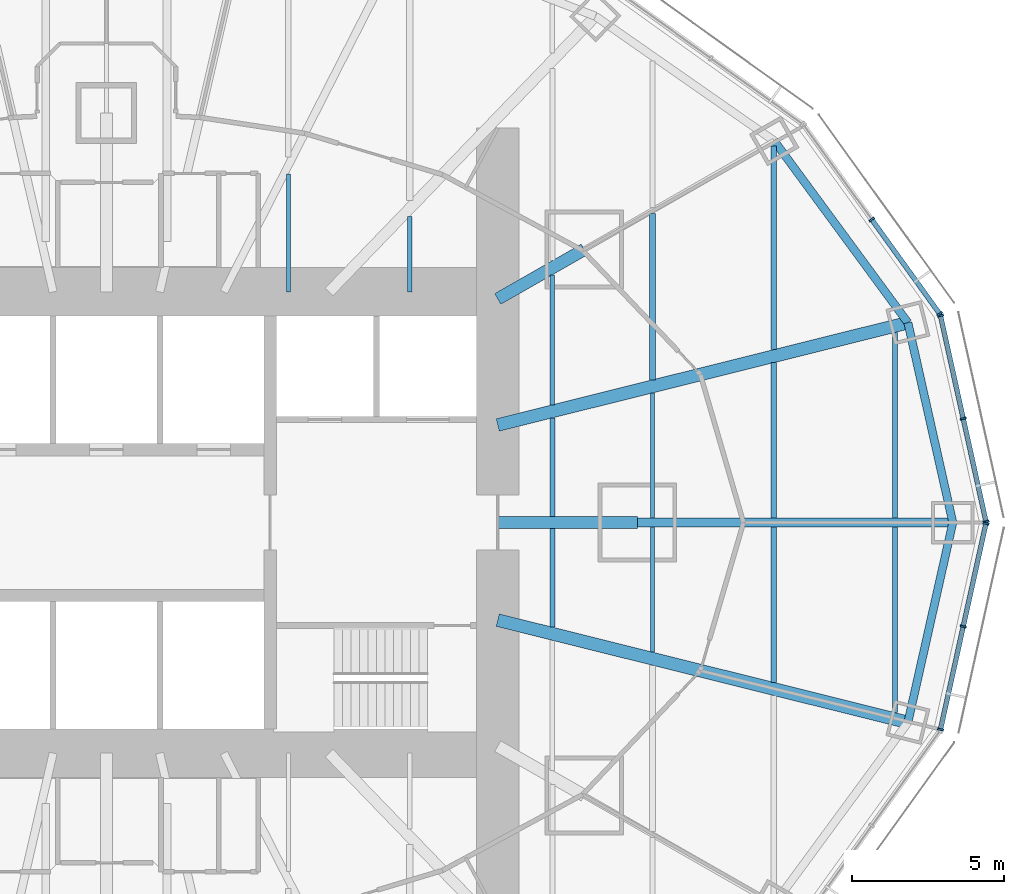
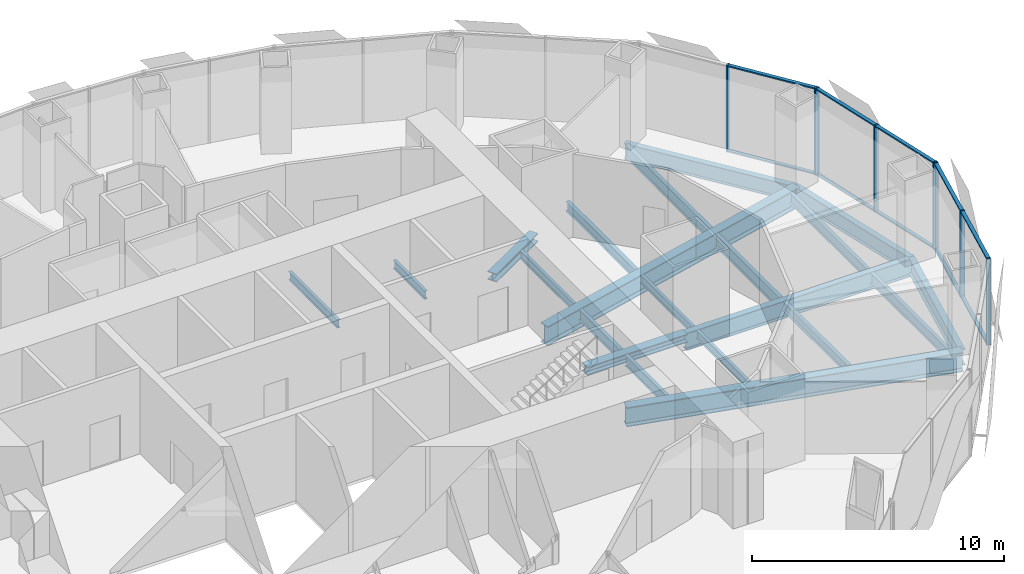
# One storey, part 6 of 18: 21 beams, 18 members, 3 elements without a shape of their own.
"""IFC4 building model written with IfcOpenShell, lengths in metres."""

from ifc_helpers import new_model, si_unit, direction, frame, origin, origin_2d, place, context, subcontext, project, spatial, rectangle, i_section, extrude, material, material_profile, profile_set, type_object, element, aggregate, save


model = new_model("IFC4")

# Units and contexts
model_context = context("Model", 3, precision=1e-05, world=origin(), true_north=direction((0.0, 1.0)))
body_context = subcontext(model_context, "Body", "Model", "MODEL_VIEW")
ifc_project = project(units=[si_unit("LENGTHUNIT", "METRE"), si_unit("AREAUNIT", "SQUARE_METRE"), si_unit("VOLUMEUNIT", "CUBIC_METRE"), si_unit("PLANEANGLEUNIT", "RADIAN"), si_unit("MASSUNIT", "GRAM", prefix="KILO")], contexts=[model_context])

# Site, building, storey
site_placement = place(None, origin())
site = spatial("IfcSite", under=ifc_project, at=site_placement, CompositionType="ELEMENT")
building_placement = place(site_placement, origin())
building = spatial("IfcBuilding", under=site, at=building_placement, Name="Lantaw Convention Tower", CompositionType="ELEMENT")
storey_placement = place(building_placement, frame((0.0, 0.0, 142.60009765625)))
storey = spatial("IfcBuildingStorey", under=building, at=storey_placement, Name="L33", CompositionType="ELEMENT", Elevation=142.60009765625)

# Beams
ifc_material_1 = material(Name="Steel ASTM A992", Category="steel")
ifc_material_profile_1 = material_profile(ifc_material_1, i_section(OverallWidth=0.2666015625, OverallDepth=0.76953125, WebThickness=0.015625, FlangeThickness=0.025390625, FilletRadius=0.0126953125, at=origin_2d()), Name="W30X132")
ifc_profile_set_1 = profile_set([ifc_material_profile_1], Name="Steel ASTM A992")
beam_type_1 = type_object("IfcBeamType", Name="Beam E W30X132", PredefinedType="SPANDREL", material=ifc_profile_set_1)
beam_1_placement = place(storey_placement, frame((27.89990234375, 0.0, -0.534912109375), z_axis=(-0.219211877447, 0.975677279015, 0.0), x_axis=(-0.975677279015, -0.219211877447, 0.0)))
element("IfcBeam", 1, at=beam_1_placement, inside=storey, type_object=beam_type_1, Name="Edge beam 1", PredefinedType="SPANDREL", context=body_context, shape_type="SweptSolid", body=[
    extrude(i_section(OverallWidth=0.2666015625, OverallDepth=0.76953125, WebThickness=0.015625, FlangeThickness=0.025390625, FilletRadius=0.0126953125, at=origin_2d()), origin(), (0.0, 0.0, 1.0), 6.75146484375),
])
beam_2_placement = place(storey_placement, frame((26.419921875, 6.587158203125, -0.534912109375), z_axis=(-0.5923891972, 0.805651934176, 0.0), x_axis=(-0.805651934176, -0.5923891972, 0.0)))
element("IfcBeam", 2, at=beam_2_placement, inside=storey, type_object=beam_type_1, Name="Edge beam 2", PredefinedType="SPANDREL", context=body_context, shape_type="SweptSolid", body=[
    extrude(i_section(OverallWidth=0.2666015625, OverallDepth=0.76953125, WebThickness=0.015625, FlangeThickness=0.025390625, FilletRadius=0.0126953125, at=origin_2d()), origin(), (0.0, 0.0, 1.0), 7.437744140625),
])
beam_3_placement = place(storey_placement, frame((26.419921875, -6.587158203125, -0.534912109375), z_axis=(0.219211877447, 0.975677279015, 0.0), x_axis=(-0.975677279015, 0.219211877447, 0.0)))
element("IfcBeam", 3, at=beam_3_placement, inside=storey, type_object=beam_type_1, Name="Edge beam 24", PredefinedType="SPANDREL", context=body_context, shape_type="SweptSolid", body=[
    extrude(i_section(OverallWidth=0.2666015625, OverallDepth=0.76953125, WebThickness=0.015625, FlangeThickness=0.025390625, FilletRadius=0.0126953125, at=origin_2d()), origin(), (0.0, 0.0, 1.0), 6.75146484375),
])
ifc_material_profile_2 = material_profile(ifc_material_1, i_section(OverallWidth=0.2919921875, OverallDepth=0.845703125, WebThickness=0.015380859375, FlangeThickness=0.0244140625, FilletRadius=0.01513671875, at=origin_2d()), Name="W33X141")
ifc_profile_set_2 = profile_set([ifc_material_profile_2], Name="Steel ASTM A992")
beam_type_2 = type_object("IfcBeamType", Name="Beam G W33X141", PredefinedType="BEAM", material=ifc_profile_set_2)
beam_4_placement = place(storey_placement, frame((17.5, 0.0, -0.572998046875), z_axis=(1.0, 0.0, 0.0), x_axis=(0.0, 1.0, 0.0)))
element("IfcBeam", 4, at=beam_4_placement, inside=storey, type_object=beam_type_2, Name="Floor girder on ray 1", PredefinedType="BEAM", context=body_context, shape_type="SweptSolid", body=[
    extrude(i_section(OverallWidth=0.2919921875, OverallDepth=0.845703125, WebThickness=0.015380859375, FlangeThickness=0.0244140625, FilletRadius=0.01513671875, at=origin_2d()), origin(), (0.0, 0.0, 1.0), 10.39990234375),
])
ifc_material_profile_3 = material_profile(ifc_material_1, i_section(OverallWidth=0.421630859375, OverallDepth=0.937255859375, WebThickness=0.0224609375, FlangeThickness=0.039794921875, FilletRadius=0.02001953125, at=origin_2d()), Name="W36X282")
ifc_profile_set_3 = profile_set([ifc_material_profile_3], Name="Steel ASTM A992")
beam_type_3 = type_object("IfcBeamType", Name="Beam G W36X282", PredefinedType="BEAM", material=ifc_profile_set_3)
for number, where, z_axis, x_axis, name in (
    (5, (12.89990234375, 3.21630859375, -0.61865234375), (0.970296903132, 0.24191717544, 0.0), (-0.24191717544, 0.970296903132, 0.0), "Floor girder on ray 2"),
    (6, (12.89990234375, -3.21630859375, -0.61865234375), (0.970296903132, -0.24191717544, 0.0), (0.24191717544, 0.970296903132, 0.0), "Floor girder on ray 24"),
):
    element("IfcBeam", number, at=place(storey_placement, frame(where, z_axis=z_axis, x_axis=x_axis)), inside=storey, type_object=beam_type_3, Name=name, PredefinedType="BEAM", context=body_context, shape_type="SweptSolid", body=[
        extrude(i_section(OverallWidth=0.421630859375, OverallDepth=0.937255859375, WebThickness=0.0224609375, FlangeThickness=0.039794921875, FilletRadius=0.02001953125, at=origin_2d()), origin(), (0.0, 0.0, 1.0), 13.933837890625),
    ])
ifc_material_profile_4 = material_profile(ifc_material_1, i_section(OverallWidth=0.40380859375, OverallDepth=0.406494140625, WebThickness=0.027099609375, FlangeThickness=0.043701171875, FilletRadius=0.01513671875, at=origin_2d()), Name="W14X233")
ifc_profile_set_4 = profile_set([ifc_material_profile_4], Name="Steel ASTM A992")
beam_type_4 = type_object("IfcBeamType", Name="Beam GM W14X233", PredefinedType="BEAM", material=ifc_profile_set_4)
beam_5_placement = place(storey_placement, frame((12.89990234375, 0.0, -0.353271484375), z_axis=(1.0, 0.0, 0.0), x_axis=(0.0, 1.0, 0.0)))
element("IfcBeam", 7, at=beam_5_placement, inside=storey, type_object=beam_type_4, Name="Core link beam on ray 1", PredefinedType="BEAM", context=body_context, shape_type="SweptSolid", body=[
    extrude(i_section(OverallWidth=0.40380859375, OverallDepth=0.406494140625, WebThickness=0.027099609375, FlangeThickness=0.043701171875, FilletRadius=0.01513671875, at=origin_2d()), origin(), (0.0, 0.0, 1.0), 4.60009765625),
])
beam_6_placement = place(storey_placement, frame((12.89990234375, 7.371337890625, -0.353271484375), z_axis=(0.868238565244, 0.496146947811, 0.0), x_axis=(-0.496146947811, 0.868238565244, 0.0)))
element("IfcBeam", 8, at=beam_6_placement, inside=storey, type_object=beam_type_4, Name="Core link beam on ray 3", PredefinedType="BEAM", context=body_context, shape_type="SweptSolid", body=[
    extrude(i_section(OverallWidth=0.40380859375, OverallDepth=0.406494140625, WebThickness=0.027099609375, FlangeThickness=0.043701171875, FilletRadius=0.01513671875, at=origin_2d()), origin(), (0.0, 0.0, 1.0), 3.28271484375),
])
ifc_material_profile_5 = material_profile(ifc_material_1, i_section(OverallWidth=0.140380859375, OverallDepth=0.40380859375, WebThickness=0.007080078125, FlangeThickness=0.01123046875, FilletRadius=0.01025390625, at=origin_2d()), Name="W16X31")
ifc_profile_set_5 = profile_set([ifc_material_profile_5], Name="Steel ASTM A992")
beam_type_5 = type_object("IfcBeamType", Name="Beam J W16X31", PredefinedType="JOIST", material=ifc_profile_set_5)
beam_7_placement = place(storey_placement, frame((6.0, 7.60009765625, -0.35205078125), z_axis=(0.0, 1.0, 0.0), x_axis=(-1.0, 0.0, 0.0)))
element("IfcBeam", 9, at=beam_7_placement, inside=storey, type_object=beam_type_5, Name="Floor joist", PredefinedType="JOIST", context=body_context, shape_type="SweptSolid", body=[
    extrude(i_section(OverallWidth=0.140380859375, OverallDepth=0.40380859375, WebThickness=0.007080078125, FlangeThickness=0.01123046875, FilletRadius=0.01025390625, at=origin_2d()), origin(), (0.0, 0.0, 1.0), 3.895751953125),
])
beam_8_placement = place(storey_placement, frame((10.0, 7.60009765625, -0.35205078125), z_axis=(0.0, 1.0, 0.0), x_axis=(-1.0, 0.0, 0.0)))
element("IfcBeam", 10, at=beam_8_placement, inside=storey, type_object=beam_type_5, Name="Floor joist", PredefinedType="JOIST", context=body_context, shape_type="SweptSolid", body=[
    extrude(i_section(OverallWidth=0.140380859375, OverallDepth=0.40380859375, WebThickness=0.007080078125, FlangeThickness=0.01123046875, FilletRadius=0.01025390625, at=origin_2d()), origin(), (0.0, 0.0, 1.0), 2.49560546875),
])
beam_9_placement = place(storey_placement, frame((14.699951171875, 3.88232421875, -0.35205078125), z_axis=(0.0, 1.0, 0.0), x_axis=(-1.0, 0.0, 0.0)))
element("IfcBeam", 11, at=beam_9_placement, inside=storey, type_object=beam_type_5, Name="Floor joist", PredefinedType="JOIST", context=body_context, shape_type="SweptSolid", body=[
    extrude(i_section(OverallWidth=0.140380859375, OverallDepth=0.40380859375, WebThickness=0.007080078125, FlangeThickness=0.01123046875, FilletRadius=0.01025390625, at=origin_2d()), origin(), (0.0, 0.0, 1.0), 4.28515625),
])
for number, where, z_axis, x_axis, name in (
    (12, (18.0, -4.270751953125, -0.35205078125), (0.0, 1.0, 0.0), (-1.0, 0.0, 0.0), "Floor joist"),
    (13, (18.0, 0.14599609375, -0.35205078125), (0.0, 1.0, 0.0), (-1.0, 0.0, 0.0), "Floor joist"),
):
    element("IfcBeam", number, at=place(storey_placement, frame(where, z_axis=z_axis, x_axis=x_axis)), inside=storey, type_object=beam_type_5, Name=name, PredefinedType="JOIST", context=body_context, shape_type="SweptSolid", body=[
        extrude(i_section(OverallWidth=0.140380859375, OverallDepth=0.40380859375, WebThickness=0.007080078125, FlangeThickness=0.01123046875, FilletRadius=0.01025390625, at=origin_2d()), origin(), (0.0, 0.0, 1.0), 4.124755859375),
    ])
ifc_material_profile_6 = material_profile(ifc_material_1, i_section(OverallWidth=0.1904296875, OverallDepth=0.457275390625, WebThickness=0.009033203125, FlangeThickness=0.014404296875, FilletRadius=0.01025390625, at=origin_2d()), Name="W18X50")
ifc_profile_set_6 = profile_set([ifc_material_profile_6], Name="Steel ASTM A992")
beam_type_6 = type_object("IfcBeamType", Name="Beam J W18X50", PredefinedType="JOIST", material=ifc_profile_set_6)
beam_10_placement = place(storey_placement, frame((18.0, 4.705078125, -0.378662109375), z_axis=(0.0, 1.0, 0.0), x_axis=(-1.0, 0.0, 0.0)))
element("IfcBeam", 14, at=beam_10_placement, inside=storey, type_object=beam_type_6, Name="Floor joist", PredefinedType="JOIST", context=body_context, shape_type="SweptSolid", body=[
    extrude(i_section(OverallWidth=0.1904296875, OverallDepth=0.457275390625, WebThickness=0.009033203125, FlangeThickness=0.014404296875, FilletRadius=0.01025390625, at=origin_2d()), origin(), (0.0, 0.0, 1.0), 5.47802734375),
])
beam_11_placement = place(storey_placement, frame((22.0, -5.267822265625, -0.378662109375), z_axis=(0.0, 1.0, 0.0), x_axis=(-1.0, 0.0, 0.0)))
element("IfcBeam", 15, at=beam_11_placement, inside=storey, type_object=beam_type_6, Name="Floor joist", PredefinedType="JOIST", context=body_context, shape_type="SweptSolid", body=[
    extrude(i_section(OverallWidth=0.1904296875, OverallDepth=0.457275390625, WebThickness=0.009033203125, FlangeThickness=0.014404296875, FilletRadius=0.01025390625, at=origin_2d()), origin(), (0.0, 0.0, 1.0), 5.121826171875),
])
ifc_material_profile_7 = material_profile(ifc_material_1, i_section(OverallWidth=0.1650390625, OverallDepth=0.52587890625, WebThickness=0.0087890625, FlangeThickness=0.011474609375, FilletRadius=0.0126953125, at=origin_2d()), Name="W21X44")
ifc_profile_set_7 = profile_set([ifc_material_profile_7], Name="Steel ASTM A992")
beam_type_7 = type_object("IfcBeamType", Name="Beam J W21X44", PredefinedType="JOIST", material=ifc_profile_set_7)
for number, where, z_axis, x_axis, name in (
    (16, (26.0, -6.26513671875, -0.4130859375), (0.0, 1.0, 0.0), (-1.0, 0.0, 0.0), "Floor joist"),
    (17, (26.0, 0.14599609375, -0.4130859375), (0.0, 1.0, 0.0), (-1.0, 0.0, 0.0), "Floor joist"),
):
    element("IfcBeam", number, at=place(storey_placement, frame(where, z_axis=z_axis, x_axis=x_axis)), inside=storey, type_object=beam_type_7, Name=name, PredefinedType="JOIST", context=body_context, shape_type="SweptSolid", body=[
        extrude(i_section(OverallWidth=0.1650390625, OverallDepth=0.52587890625, WebThickness=0.0087890625, FlangeThickness=0.011474609375, FilletRadius=0.0126953125, at=origin_2d()), origin(), (0.0, 0.0, 1.0), 6.119140625),
    ])
ifc_material_profile_8 = material_profile(ifc_material_1, i_section(OverallWidth=0.165771484375, OverallDepth=0.5283203125, WebThickness=0.009765625, FlangeThickness=0.013671875, FilletRadius=0.012939453125, at=origin_2d()), Name="W21X50")
ifc_profile_set_8 = profile_set([ifc_material_profile_8], Name="Steel ASTM A992")
beam_type_8 = type_object("IfcBeamType", Name="Beam J W21X50", PredefinedType="JOIST", material=ifc_profile_set_8)
for number, where, z_axis, x_axis, name in (
    (18, (14.699951171875, -3.44775390625, -0.414306640625), (0.0, 1.0, 0.0), (-1.0, 0.0, 0.0), "Floor joist"),
    (19, (14.699951171875, 0.201904296875, -0.414306640625), (0.0, 1.0, 0.0), (-1.0, 0.0, 0.0), "Floor joist"),
):
    element("IfcBeam", number, at=place(storey_placement, frame(where, z_axis=z_axis, x_axis=x_axis)), inside=storey, type_object=beam_type_8, Name=name, PredefinedType="JOIST", context=body_context, shape_type="SweptSolid", body=[
        extrude(i_section(OverallWidth=0.165771484375, OverallDepth=0.5283203125, WebThickness=0.009765625, FlangeThickness=0.013671875, FilletRadius=0.012939453125, at=origin_2d()), origin(), (0.0, 0.0, 1.0), 3.245849609375),
    ])
ifc_material_profile_9 = material_profile(ifc_material_1, i_section(OverallWidth=0.177978515625, OverallDepth=0.599365234375, WebThickness=0.010009765625, FlangeThickness=0.012939453125, FilletRadius=0.012939453125, at=origin_2d()), Name="W24X55")
ifc_profile_set_9 = profile_set([ifc_material_profile_9], Name="Steel ASTM A992")
beam_type_9 = type_object("IfcBeamType", Name="Beam J W24X55", PredefinedType="JOIST", material=ifc_profile_set_9)
beam_12_placement = place(storey_placement, frame((22.0, 0.14599609375, -0.44970703125), z_axis=(0.0, 1.0, 0.0), x_axis=(-1.0, 0.0, 0.0)))
element("IfcBeam", 20, at=beam_12_placement, inside=storey, type_object=beam_type_9, Name="Floor joist", PredefinedType="JOIST", context=body_context, shape_type="SweptSolid", body=[
    extrude(i_section(OverallWidth=0.177978515625, OverallDepth=0.599365234375, WebThickness=0.010009765625, FlangeThickness=0.012939453125, FilletRadius=0.012939453125, at=origin_2d()), origin(), (0.0, 0.0, 1.0), 5.121826171875),
])
beam_13_placement = place(storey_placement, frame((22.0, 5.702392578125, -0.44970703125), z_axis=(0.0, 1.0, 0.0), x_axis=(-1.0, 0.0, 0.0)))
element("IfcBeam", 21, at=beam_13_placement, inside=storey, type_object=beam_type_9, Name="Floor joist", PredefinedType="JOIST", context=body_context, shape_type="SweptSolid", body=[
    extrude(i_section(OverallWidth=0.177978515625, OverallDepth=0.599365234375, WebThickness=0.010009765625, FlangeThickness=0.012939453125, FilletRadius=0.012939453125, at=origin_2d()), origin(), (0.0, 0.0, 1.0), 6.70654296875),
])

# Curtain wall, members
ifc_material_2 = material(Name="Aluminium framed curtain wall", Category="aluminium")
curtain_wall_type = type_object("IfcCurtainWallType", Name="Office curtain wall low rise, pale aluminium", PredefinedType="USERDEFINED", material=ifc_material_2)
curtain_wall_1_placement = place(storey_placement, origin())
curtain_wall_1 = element("IfcCurtainWall", 22, at=curtain_wall_1_placement, inside=storey, type_object=curtain_wall_type, Name="Office curtain wall low rise, pale aluminium L33", ObjectType="UNITISED CURTAIN WALL", PredefinedType="USERDEFINED")
ifc_material_3 = material(Name="Aluminium 6063-T6", Category="aluminium")
ifc_material_profile_10 = material_profile(ifc_material_3, rectangle(XDim=0.199951171875, YDim=0.06494140625, at=origin_2d()), Name="CW-O1 mullion 65x200")
ifc_profile_set_10 = profile_set([ifc_material_profile_10], Name="Aluminium 6063-T6")
member_type_1 = type_object("IfcMemberType", Name="CW-O1 mullion 65x200", PredefinedType="MULLION", material=ifc_profile_set_10)
member_1_placement = place(storey_placement, frame((28.992919921875, 0.03173828125, -0.150146484375), z_axis=(0.0, 0.0, 1.0), x_axis=(-0.9764936509, -0.215546166174, 0.0)))
member_1 = element("IfcMember", 23, at=member_1_placement, type_object=member_type_1, Name="CW-O1 mullion 1", PredefinedType="MULLION", context=body_context, shape_type="SweptSolid", body=[
    extrude(rectangle(XDim=0.199951171875, YDim=0.06494140625, at=origin_2d()), origin(), (0.0, 0.0, 1.0), 4.199951171875),
])
member_2_placement = place(storey_placement, frame((28.24365234375, 3.4267578125, -0.150146484375), z_axis=(0.0, 0.0, 1.0), x_axis=(-0.9764936509, -0.215546166174, 0.0)))
member_2 = element("IfcMember", 24, at=member_2_placement, type_object=member_type_1, Name="CW-O1 mullion 2", PredefinedType="MULLION", context=body_context, shape_type="SweptSolid", body=[
    extrude(rectangle(XDim=0.199951171875, YDim=0.06494140625, at=origin_2d()), origin(), (0.0, 0.0, 1.0), 4.199951171875),
])
member_3_placement = place(storey_placement, frame((27.494140625, 6.821533203125, -0.150146484375), z_axis=(0.0, 0.0, 1.0), x_axis=(-0.9764936509, -0.215546166174, 0.0)))
member_3 = element("IfcMember", 25, at=member_3_placement, type_object=member_type_1, Name="CW-O1 mullion 3", PredefinedType="MULLION", context=body_context, shape_type="SweptSolid", body=[
    extrude(rectangle(XDim=0.199951171875, YDim=0.06494140625, at=origin_2d()), origin(), (0.0, 0.0, 1.0), 4.199951171875),
])

curtain_wall_2_placement = place(storey_placement, origin())
curtain_wall_2 = element("IfcCurtainWall", 26, at=curtain_wall_2_placement, inside=storey, type_object=curtain_wall_type, Name="Office curtain wall low rise, pale aluminium L33", ObjectType="UNITISED CURTAIN WALL", PredefinedType="USERDEFINED")
member_4_placement = place(storey_placement, frame((27.46826171875, 6.879638671875, -0.150146484375), z_axis=(0.0, 0.0, 1.0), x_axis=(-0.811384633629, -0.584512597221, 0.0)))
member_4 = element("IfcMember", 27, at=member_4_placement, type_object=member_type_1, Name="CW-O1 mullion 1", PredefinedType="MULLION", context=body_context, shape_type="SweptSolid", body=[
    extrude(rectangle(XDim=0.199951171875, YDim=0.06494140625, at=origin_2d()), origin(), (0.0, 0.0, 1.0), 4.199951171875),
])
member_5_placement = place(storey_placement, frame((25.22802734375, 9.9892578125, -0.150146484375), z_axis=(0.0, 0.0, 1.0), x_axis=(-0.811384633629, -0.584512597221, 0.0)))
member_5 = element("IfcMember", 28, at=member_5_placement, type_object=member_type_1, Name="CW-O1 mullion 2", PredefinedType="MULLION", context=body_context, shape_type="SweptSolid", body=[
    extrude(rectangle(XDim=0.199951171875, YDim=0.06494140625, at=origin_2d()), origin(), (0.0, 0.0, 1.0), 4.199951171875),
])

curtain_wall_3_placement = place(storey_placement, origin())
curtain_wall_3 = element("IfcCurtainWall", 29, at=curtain_wall_3_placement, inside=storey, type_object=curtain_wall_type, Name="Office curtain wall low rise, pale aluminium L33", ObjectType="UNITISED CURTAIN WALL", PredefinedType="USERDEFINED")
member_6_placement = place(storey_placement, frame((27.494140625, -6.821533203125, -0.150146484375), z_axis=(0.0, 0.0, 1.0), x_axis=(-0.9764936509, 0.215546166174, 0.0)))
member_6 = element("IfcMember", 30, at=member_6_placement, type_object=member_type_1, Name="CW-O1 mullion 1", PredefinedType="MULLION", context=body_context, shape_type="SweptSolid", body=[
    extrude(rectangle(XDim=0.199951171875, YDim=0.06494140625, at=origin_2d()), origin(), (0.0, 0.0, 1.0), 4.199951171875),
])
member_7_placement = place(storey_placement, frame((28.24365234375, -3.4267578125, -0.150146484375), z_axis=(0.0, 0.0, 1.0), x_axis=(-0.9764936509, 0.215546166174, 0.0)))
member_7 = element("IfcMember", 31, at=member_7_placement, type_object=member_type_1, Name="CW-O1 mullion 2", PredefinedType="MULLION", context=body_context, shape_type="SweptSolid", body=[
    extrude(rectangle(XDim=0.199951171875, YDim=0.06494140625, at=origin_2d()), origin(), (0.0, 0.0, 1.0), 4.199951171875),
])
member_8_placement = place(storey_placement, frame((28.992919921875, -0.03173828125, -0.150146484375), z_axis=(0.0, 0.0, 1.0), x_axis=(-0.9764936509, 0.215546166174, 0.0)))
member_8 = element("IfcMember", 32, at=member_8_placement, type_object=member_type_1, Name="CW-O1 mullion 3", PredefinedType="MULLION", context=body_context, shape_type="SweptSolid", body=[
    extrude(rectangle(XDim=0.199951171875, YDim=0.06494140625, at=origin_2d()), origin(), (0.0, 0.0, 1.0), 4.199951171875),
])

# Member
ifc_material_profile_11 = material_profile(ifc_material_3, rectangle(XDim=0.159912109375, YDim=0.06494140625, at=origin_2d()), Name="CW-O1 transom 65x160")
ifc_profile_set_11 = profile_set([ifc_material_profile_11], Name="Aluminium 6063-T6")
member_type_2 = type_object("IfcMemberType", Name="CW-O1 transom 65x160", PredefinedType="USERDEFINED", material=ifc_profile_set_11)
member_9_placement = place(storey_placement, frame((28.986083984375, 0.0634765625, -0.11767578125), z_axis=(-0.215536096386, 0.976495873598, 0.0), x_axis=(-0.976495873598, -0.215536096386, 0.0)))
member_9 = element("IfcMember", 33, at=member_9_placement, type_object=member_type_2, Name="CW-O1 transom 1.1", ObjectType="TRANSOM", PredefinedType="USERDEFINED", context=body_context, shape_type="SweptSolid", body=[
    extrude(rectangle(XDim=0.159912109375, YDim=0.06494140625, at=origin_2d()), origin(), (0.0, 0.0, 1.0), 3.41162109375),
])

member_10_placement = place(storey_placement, frame((28.986083984375, 0.0634765625, 4.017333984375), z_axis=(-0.215536096386, 0.976495873598, 0.0), x_axis=(-0.976495873598, -0.215536096386, 0.0)))
member_10 = element("IfcMember", 34, at=member_10_placement, type_object=member_type_2, Name="CW-O1 transom 1.2", ObjectType="TRANSOM", PredefinedType="USERDEFINED", context=body_context, shape_type="SweptSolid", body=[
    extrude(rectangle(XDim=0.159912109375, YDim=0.06494140625, at=origin_2d()), origin(), (0.0, 0.0, 1.0), 3.41162109375),
])

member_11_placement = place(storey_placement, frame((28.236572265625, 3.45849609375, -0.11767578125), z_axis=(-0.21555115847, 0.976492548913, 0.0), x_axis=(-0.976492548913, -0.21555115847, 0.0)))
member_11 = element("IfcMember", 35, at=member_11_placement, type_object=member_type_2, Name="CW-O1 transom 2.1", ObjectType="TRANSOM", PredefinedType="USERDEFINED", context=body_context, shape_type="SweptSolid", body=[
    extrude(rectangle(XDim=0.159912109375, YDim=0.06494140625, at=origin_2d()), origin(), (0.0, 0.0, 1.0), 3.411376953125),
])

member_12_placement = place(storey_placement, frame((28.236572265625, 3.45849609375, 4.017333984375), z_axis=(-0.21555115847, 0.976492548913, 0.0), x_axis=(-0.976492548913, -0.21555115847, 0.0)))
member_12 = element("IfcMember", 36, at=member_12_placement, type_object=member_type_2, Name="CW-O1 transom 2.2", ObjectType="TRANSOM", PredefinedType="USERDEFINED", context=body_context, shape_type="SweptSolid", body=[
    extrude(rectangle(XDim=0.159912109375, YDim=0.06494140625, at=origin_2d()), origin(), (0.0, 0.0, 1.0), 3.411376953125),
])

aggregate(curtain_wall_1, [member_1, member_2, member_3, member_9, member_10, member_11, member_12])

member_13_placement = place(storey_placement, frame((27.44921875, 6.906005859375, -0.11767578125), z_axis=(-0.584512973979, 0.811384362217, 0.0), x_axis=(-0.811384362217, -0.584512973979, 0.0)))
member_13 = element("IfcMember", 37, at=member_13_placement, type_object=member_type_2, Name="CW-O1 transom 1.1", ObjectType="TRANSOM", PredefinedType="USERDEFINED", context=body_context, shape_type="SweptSolid", body=[
    extrude(rectangle(XDim=0.159912109375, YDim=0.06494140625, at=origin_2d()), origin(), (0.0, 0.0, 1.0), 3.767578125),
])

member_14_placement = place(storey_placement, frame((27.44921875, 6.906005859375, 4.017333984375), z_axis=(-0.584512973979, 0.811384362217, 0.0), x_axis=(-0.811384362217, -0.584512973979, 0.0)))
member_14 = element("IfcMember", 38, at=member_14_placement, type_object=member_type_2, Name="CW-O1 transom 1.2", ObjectType="TRANSOM", PredefinedType="USERDEFINED", context=body_context, shape_type="SweptSolid", body=[
    extrude(rectangle(XDim=0.159912109375, YDim=0.06494140625, at=origin_2d()), origin(), (0.0, 0.0, 1.0), 3.767578125),
])

aggregate(curtain_wall_2, [member_4, member_5, member_13, member_14])

member_15_placement = place(storey_placement, frame((27.501220703125, -6.789794921875, -0.11767578125), z_axis=(0.21555115847, 0.976492548913, 0.0), x_axis=(-0.976492548913, 0.21555115847, 0.0)))
member_15 = element("IfcMember", 39, at=member_15_placement, type_object=member_type_2, Name="CW-O1 transom 1.1", ObjectType="TRANSOM", PredefinedType="USERDEFINED", context=body_context, shape_type="SweptSolid", body=[
    extrude(rectangle(XDim=0.159912109375, YDim=0.06494140625, at=origin_2d()), origin(), (0.0, 0.0, 1.0), 3.411376953125),
])

member_16_placement = place(storey_placement, frame((27.501220703125, -6.789794921875, 4.017333984375), z_axis=(0.21555115847, 0.976492548913, 0.0), x_axis=(-0.976492548913, 0.21555115847, 0.0)))
member_16 = element("IfcMember", 40, at=member_16_placement, type_object=member_type_2, Name="CW-O1 transom 1.2", ObjectType="TRANSOM", PredefinedType="USERDEFINED", context=body_context, shape_type="SweptSolid", body=[
    extrude(rectangle(XDim=0.159912109375, YDim=0.06494140625, at=origin_2d()), origin(), (0.0, 0.0, 1.0), 3.411376953125),
])

member_17_placement = place(storey_placement, frame((28.250732421875, -3.39501953125, -0.11767578125), z_axis=(0.215536096386, 0.976495873598, 0.0), x_axis=(-0.976495873598, 0.215536096386, 0.0)))
member_17 = element("IfcMember", 41, at=member_17_placement, type_object=member_type_2, Name="CW-O1 transom 2.1", ObjectType="TRANSOM", PredefinedType="USERDEFINED", context=body_context, shape_type="SweptSolid", body=[
    extrude(rectangle(XDim=0.159912109375, YDim=0.06494140625, at=origin_2d()), origin(), (0.0, 0.0, 1.0), 3.41162109375),
])

member_18_placement = place(storey_placement, frame((28.250732421875, -3.39501953125, 4.017333984375), z_axis=(0.215536096386, 0.976495873598, 0.0), x_axis=(-0.976495873598, 0.215536096386, 0.0)))
member_18 = element("IfcMember", 42, at=member_18_placement, type_object=member_type_2, Name="CW-O1 transom 2.2", ObjectType="TRANSOM", PredefinedType="USERDEFINED", context=body_context, shape_type="SweptSolid", body=[
    extrude(rectangle(XDim=0.159912109375, YDim=0.06494140625, at=origin_2d()), origin(), (0.0, 0.0, 1.0), 3.41162109375),
])

aggregate(curtain_wall_3, [member_6, member_7, member_8, member_15, member_16, member_17, member_18])

save(model, "model.ifc")
